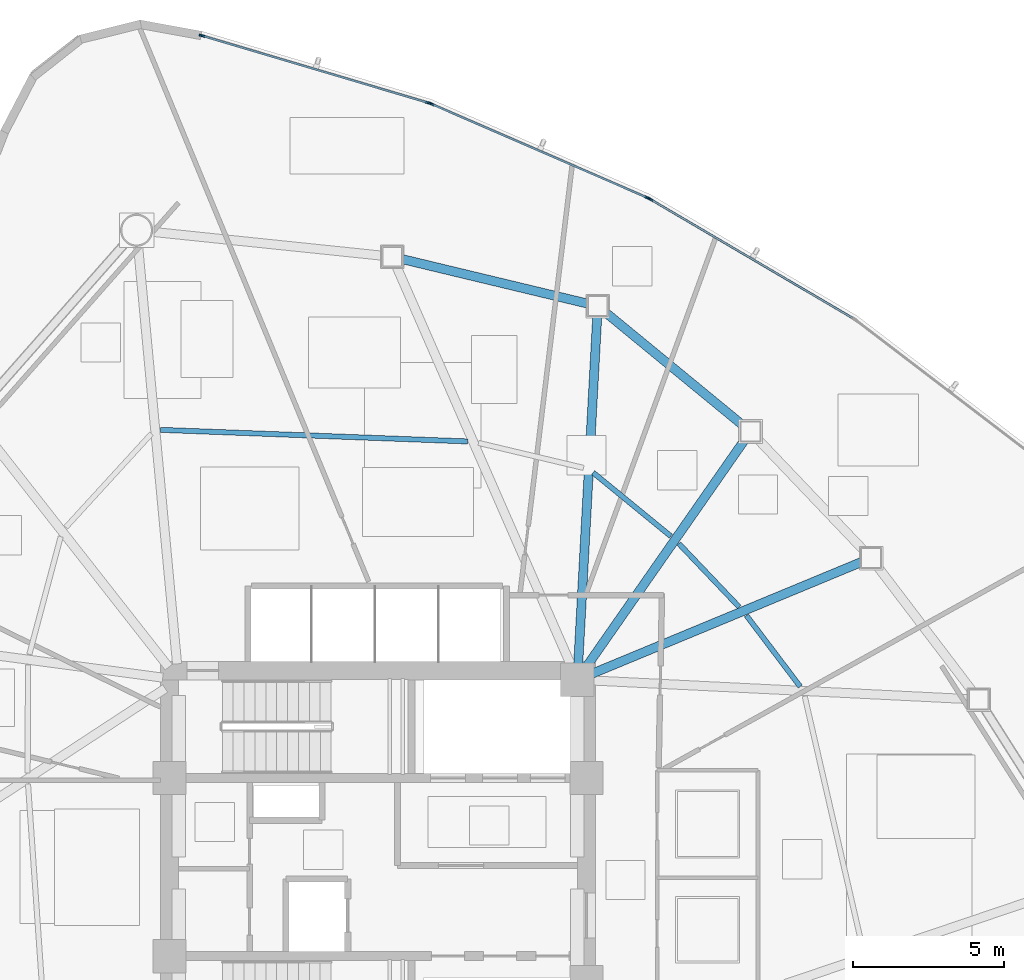
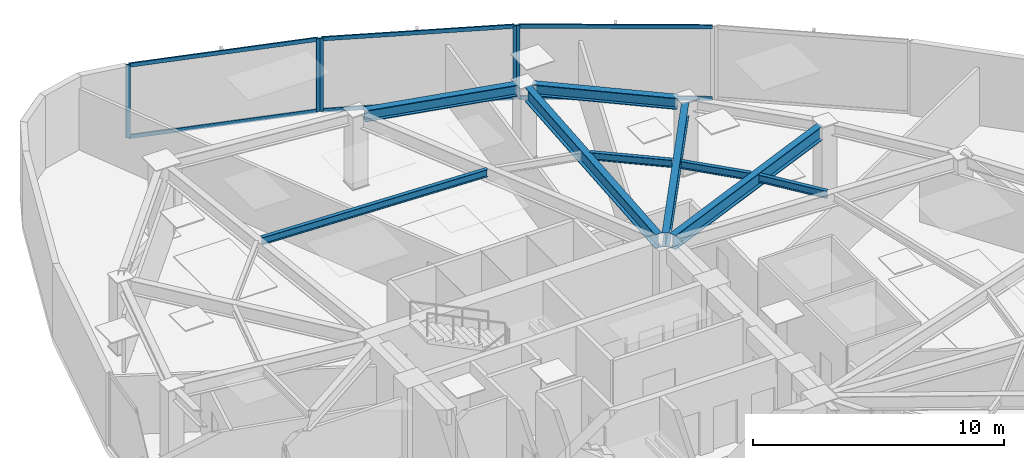
# One storey, part 8 of 17: 11 members, 9 beams, 3 elements without a shape of their own.
"""IFC4 building model written with IfcOpenShell, lengths in metres."""

import ifcopenshell
import ifcopenshell.guid

model = None  # the IFC model being written
_history = None  # IfcOwnerHistory: only IFC2X3 demands one
_inside = {}  # id of a spatial element -> (the spatial element, [elements in it])
_under = {}  # id of a project, library or spatial element -> (it, [spatial elements below it])
_declared = {}  # id of a project -> (the project, [libraries it declares])
_typed = {}  # id of a type object -> (the type object, [elements of that type])
_made_of = {}  # id of a material, layer set ... -> (it, [elements and type objects made of it])


def new_model(schema):
    """Start an empty IFC model of exactly this schema.

    Asked for "IFC4X3", IfcOpenShell would pick the latest addendum, in which some entities
    have other attributes; the version numbers below select the first issue.
    IFC2X3 requires an IfcOwnerHistory on every rooted entity: one is made here for all.
    """
    global model, _history
    if schema == "IFC4X3":
        model = ifcopenshell.file(schema_version=(4, 3, 0, 0))
    else:
        model = ifcopenshell.file(schema=schema)
    _inside.clear()
    _under.clear()
    _declared.clear()
    _typed.clear()
    _made_of.clear()
    _history = None
    if model.schema == "IFC2X3":
        org = make("IfcOrganization", Name="unknown")
        user = make(
            "IfcPersonAndOrganization",
            ThePerson=make("IfcPerson", FamilyName="unknown"),
            TheOrganization=org,
        )
        app = make(
            "IfcApplication",
            ApplicationDeveloper=org,
            Version="unknown",
            ApplicationFullName="unknown",
            ApplicationIdentifier="unknown",
        )
        _history = make(
            "IfcOwnerHistory",
            OwningUser=user,
            OwningApplication=app,
            ChangeAction="ADDED",
            CreationDate=0,
        )
    return model


def make(cls, **values):
    """One entity of the class cls with the attributes given. An attribute that is None is left unset."""
    return model.create_entity(
        cls, **{name: value for name, value in values.items() if value is not None}
    )


def rooted(cls, **values):
    """An entity with a GlobalId (a new one), such as an element, a storey or a relation."""
    return make(cls, GlobalId=ifcopenshell.guid.new(), OwnerHistory=_history, **values)


def si_unit(unit_type, name, prefix=None):
    """IfcSIUnit, for example si_unit("LENGTHUNIT", "METRE", prefix="MILLI")."""
    return make("IfcSIUnit", UnitType=unit_type, Prefix=prefix, Name=name)


def assignment(units):
    """IfcUnitAssignment: the units of a project."""
    return None if units is None else make("IfcUnitAssignment", Units=units)


def point(xyz):
    """IfcCartesianPoint."""
    return None if xyz is None else make("IfcCartesianPoint", Coordinates=xyz)


def direction(xyz):
    """IfcDirection."""
    return None if xyz is None else make("IfcDirection", DirectionRatios=xyz)


def frame(location, z_axis=None, x_axis=None):
    """IfcAxis2Placement3D, a coordinate frame: its origin and axes. An axis left out is left unset."""
    return make(
        "IfcAxis2Placement3D",
        Location=point(location),
        Axis=direction(z_axis),
        RefDirection=direction(x_axis),
    )


def frame_2d(location, x_axis=None):
    """IfcAxis2Placement2D, a coordinate frame in the plane: its origin and x axis."""
    return make(
        "IfcAxis2Placement2D", Location=point(location), RefDirection=direction(x_axis)
    )


def origin():
    """The frame at (0, 0, 0) with its axes left unset."""
    return frame((0.0, 0.0, 0.0))


def origin_2d():
    """The frame at (0, 0) in the plane with its x axis left unset."""
    return frame_2d((0.0, 0.0))


def place(relative_to, where):
    """IfcLocalPlacement: puts the frame where relative to a parent placement (None: the world)."""
    return make(
        "IfcLocalPlacement", PlacementRelTo=relative_to, RelativePlacement=where
    )


def context(
    kind, dimensions, precision=None, world=None, true_north=None, identifier=None
):
    """IfcGeometricRepresentationContext, for example the 3D "Model" context."""
    return make(
        "IfcGeometricRepresentationContext",
        ContextIdentifier=identifier,
        ContextType=kind,
        CoordinateSpaceDimension=dimensions,
        Precision=precision,
        WorldCoordinateSystem=world,
        TrueNorth=true_north,
    )


def subcontext(parent, identifier, kind, view, scale=None):
    """IfcGeometricRepresentationSubContext, for example "Body" below "Model"."""
    return make(
        "IfcGeometricRepresentationSubContext",
        ContextIdentifier=identifier,
        ContextType=kind,
        ParentContext=parent,
        TargetScale=scale,
        TargetView=view,
    )


def project(units=None, contexts=None):
    """IfcProject with its units and contexts."""
    return rooted(
        "IfcProject",
        Name="project",
        RepresentationContexts=contexts,
        UnitsInContext=assignment(units),
    )


def spatial(cls, under=None, at=None, **own):
    """A site, building, storey or space (cls), placed at a placement, below another one or the project."""
    s = rooted(cls, ObjectPlacement=at, **own)
    if under is not None:
        _under.setdefault(under.id(), (under, []))[1].append(s)
    return s


def profile(cls, at=None, kind="AREA", **sizes):
    """A parametric profile (cls). Its sizes go by their IFC names, for example OverallWidth=200.0."""
    return make(cls, ProfileType=kind, Position=at, **sizes)


def hollow_rectangle(**sizes):
    """IfcRectangleHollowProfileDef."""
    return profile("IfcRectangleHollowProfileDef", **sizes)


def i_section(**sizes):
    """IfcIShapeProfileDef."""
    return profile("IfcIShapeProfileDef", **sizes)


def extrude(swept, where, along, depth):
    """IfcExtrudedAreaSolid: the profile swept, set in the frame where, extruded along a direction by depth."""
    return make(
        "IfcExtrudedAreaSolid",
        SweptArea=swept,
        Position=where,
        ExtrudedDirection=direction(along),
        Depth=depth,
    )


def shape(context_of_items, identifier, shape_type, items):
    """IfcShapeRepresentation: the items that make up one representation, for example the "Body"."""
    return make(
        "IfcShapeRepresentation",
        ContextOfItems=context_of_items,
        RepresentationIdentifier=identifier,
        RepresentationType=shape_type,
        Items=items,
    )


def source(mapping_origin, context_of_items, identifier, shape_type, items):
    """IfcRepresentationMap: a shape defined once, which mapped items show again and again."""
    return make(
        "IfcRepresentationMap",
        MappingOrigin=mapping_origin,
        MappedRepresentation=shape(context_of_items, identifier, shape_type, items),
    )


def transform(
    local_origin,
    x_axis=None,
    y_axis=None,
    z_axis=None,
    scale=None,
    scale2=None,
    scale3=None,
    uniform=True,
):
    """IfcCartesianTransformationOperator3D, or its non-uniform kind. x_axis, y_axis, z_axis: its Axis1, 2, 3."""
    if uniform:
        return make(
            "IfcCartesianTransformationOperator3D",
            Axis1=direction(x_axis),
            Axis2=direction(y_axis),
            LocalOrigin=point(local_origin),
            Scale=scale,
            Axis3=direction(z_axis),
        )
    return make(
        "IfcCartesianTransformationOperator3DnonUniform",
        Axis1=direction(x_axis),
        Axis2=direction(y_axis),
        LocalOrigin=point(local_origin),
        Scale=scale,
        Axis3=direction(z_axis),
        Scale2=scale2,
        Scale3=scale3,
    )


def mapped(mapping_source, mapping_target):
    """IfcMappedItem: shows the shape of a source again, moved by a transform."""
    return make(
        "IfcMappedItem", MappingSource=mapping_source, MappingTarget=mapping_target
    )


def material(Name=None, Category=None):
    """IfcMaterial."""
    return make("IfcMaterial", Name=Name, Category=Category)


def layer(
    of_material, thickness, ventilated=None, Name=None, Category=None, Priority=None
):
    """IfcMaterialLayer: one layer of a wall or slab, of a material (None: an air gap)."""
    return make(
        "IfcMaterialLayer",
        Material=of_material,
        LayerThickness=thickness,
        IsVentilated=ventilated,
        Name=Name,
        Category=Category,
        Priority=Priority,
    )


def layer_set(layers, Name=None):
    """IfcMaterialLayerSet."""
    return make("IfcMaterialLayerSet", MaterialLayers=layers, LayerSetName=Name)


def material_profile(
    of_material, cross_section, Name=None, Category=None, Priority=None
):
    """IfcMaterialProfile: a cross section and its material."""
    return make(
        "IfcMaterialProfile",
        Name=Name,
        Material=of_material,
        Profile=cross_section,
        Priority=Priority,
        Category=Category,
    )


def profile_set(profiles, Name=None, composite=None):
    """IfcMaterialProfileSet."""
    return make(
        "IfcMaterialProfileSet",
        Name=Name,
        MaterialProfiles=profiles,
        CompositeProfile=composite,
    )


def made_of(thing, what):
    """Note that an element or type object is made of a material, layer set ...; save() writes the relation."""
    if what is not None:
        _made_of.setdefault(what.id(), (what, []))[1].append(thing)
    return thing


def type_object(cls, material=None, **own):
    """A type object (cls), such as IfcWallType, which elements share."""
    return made_of(rooted(cls, **own), material)


def type_shapes(of_type, sources):
    """Give a type object the sources (RepresentationMaps) that its elements show as mapped items."""
    of_type.RepresentationMaps = sources


def element(
    cls,
    number,
    at=None,
    inside=None,
    cuts=None,
    type_object=None,
    material=None,
    context=None,
    identifier="Body",
    shape_type=None,
    held_by="IfcProductDefinitionShape",
    body=None,
    shapes=None,
    **own,
):
    """One element of the class cls, such as IfcWall. Its Tag is "e" and its number.

    at: its placement. inside: the storey or other place that contains it. cuts: it is an
    opening in that element (IfcRelVoidsElement). A single representation is given by context,
    identifier, shape_type and body (its items); several are given by shapes. held_by: the class
    of the entity that holds the representations. save() writes the other relations.
    """
    e = rooted(cls, Tag="e%d" % number, ObjectPlacement=at, **own)
    if body is not None:
        shapes = [shape(context, identifier, shape_type, body)]
    if shapes is not None:
        e.Representation = make(held_by, Representations=shapes)
    if inside is not None:
        _inside.setdefault(inside.id(), (inside, []))[1].append(e)
    if cuts is not None:
        rooted(
            "IfcRelVoidsElement", RelatingBuildingElement=cuts, RelatedOpeningElement=e
        )
    if type_object is not None:
        _typed.setdefault(type_object.id(), (type_object, []))[1].append(e)
    return made_of(e, material)


def aggregate(whole, parts):
    """IfcRelAggregates: a whole, such as a stair, and the parts it consists of."""
    return rooted("IfcRelAggregates", RelatingObject=whole, RelatedObjects=parts)


def save(model, path):
    """Write the relations noted so far, then the file.

    IfcRelAggregates (storeys below a building ...), IfcRelContainedInSpatialStructure (elements
    in a storey), IfcRelDefinesByType, IfcRelAssociatesMaterial and IfcRelDeclares: one each for
    every whole, place, type object, material and project.
    """
    for whole, parts in _under.values():
        aggregate(whole, parts)
    for where, things in _inside.values():
        rooted(
            "IfcRelContainedInSpatialStructure",
            RelatedElements=things,
            RelatingStructure=where,
        )
    for kind, things in _typed.values():
        rooted("IfcRelDefinesByType", RelatedObjects=things, RelatingType=kind)
    for what, things in _made_of.values():
        rooted("IfcRelAssociatesMaterial", RelatedObjects=things, RelatingMaterial=what)
    for by, libraries in _declared.values():
        rooted("IfcRelDeclares", RelatingContext=by, RelatedDefinitions=libraries)
    model.write(path)


model = new_model("IFC4")

# Units and contexts
model_context = context("Model", 3, precision=1e-05, world=origin(), true_north=direction((0.0, 1.0)))
body_context = subcontext(model_context, "Body", "Model", "MODEL_VIEW")
ifc_project = project(units=[si_unit("LENGTHUNIT", "METRE"), si_unit("AREAUNIT", "SQUARE_METRE"), si_unit("VOLUMEUNIT", "CUBIC_METRE"), si_unit("PLANEANGLEUNIT", "RADIAN"), si_unit("MASSUNIT", "GRAM", prefix="KILO")], contexts=[model_context])

# Site, building, storey
site_placement = place(None, origin())
site = spatial("IfcSite", under=ifc_project, at=site_placement, CompositionType="ELEMENT")
building_placement = place(site_placement, origin())
building = spatial("IfcBuilding", under=site, at=building_placement, Name="Tavelor Broadcast Tower", CompositionType="ELEMENT")
storey_placement = place(building_placement, frame((0.0, 0.0, 142.550048828125)))
storey = spatial("IfcBuildingStorey", under=building, at=storey_placement, Name="L33", CompositionType="ELEMENT", Elevation=142.550048828125)

# Beams
ifc_material_1 = material(Name="Steel S355", Category="steel")
ifc_material_profile_1 = material_profile(ifc_material_1, i_section(OverallWidth=0.169921875, OverallDepth=0.360107421875, WebThickness=0.008056640625, FlangeThickness=0.0126953125, at=origin_2d()), Name="IPE 360")
ifc_profile_set_1 = profile_set([ifc_material_profile_1], Name="Steel S355")
beam_type_1 = type_object("IfcBeamType", Name="Composite Floor Joist T3 IPE 360", PredefinedType="JOIST", material=ifc_profile_set_1)
beam_1_placement = place(storey_placement, frame((63.97509765625, 50.974853515625, 3.369873046875), z_axis=(-0.603343158319, 0.797481682116, 0.0), x_axis=(-0.797481682116, -0.603343158319, 0.0)))
element("IfcBeam", 1, at=beam_1_placement, inside=storey, type_object=beam_type_1, Name="L33 Secondary Composite Floor Joist 14", PredefinedType="JOIST", context=body_context, shape_type="SweptSolid", body=[
    extrude(i_section(OverallWidth=0.169921875, OverallDepth=0.360107421875, WebThickness=0.008056640625, FlangeThickness=0.0126953125, at=origin_2d()), origin(), (0.0, 0.0, 1.0), 2.951416015625),
])
beam_2_placement = place(storey_placement, frame((61.960205078125, 53.60400390625, 3.369873046875), z_axis=(-0.689436692526, 0.724345944283, 0.0), x_axis=(-0.724345944283, -0.689436692526, 0.0)))
element("IfcBeam", 2, at=beam_2_placement, inside=storey, type_object=beam_type_1, Name="L33 Secondary Composite Floor Joist 15", PredefinedType="JOIST", context=body_context, shape_type="SweptSolid", body=[
    extrude(i_section(OverallWidth=0.169921875, OverallDepth=0.360107421875, WebThickness=0.008056640625, FlangeThickness=0.0126953125, at=origin_2d()), origin(), (0.0, 0.0, 1.0), 2.90234375),
])
beam_3_placement = place(storey_placement, frame((59.6943359375, 55.951904296875, 3.369873046875), z_axis=(-0.774130723206, 0.633025768345, 0.0), x_axis=(-0.633025768345, -0.774130723206, 0.0)))
element("IfcBeam", 3, at=beam_3_placement, inside=storey, type_object=beam_type_1, Name="L33 Secondary Composite Floor Joist 16", PredefinedType="JOIST", context=body_context, shape_type="SweptSolid", body=[
    extrude(i_section(OverallWidth=0.169921875, OverallDepth=0.360107421875, WebThickness=0.008056640625, FlangeThickness=0.0126953125, at=origin_2d()), origin(), (0.0, 0.0, 1.0), 3.32373046875),
])
beam_4_placement = place(storey_placement, frame((52.969970703125, 59.08837890625, 3.369873046875), z_axis=(-0.999289376722, 0.037692725691, 0.0), x_axis=(-0.037692725691, -0.999289376722, 0.0)))
element("IfcBeam", 4, at=beam_4_placement, inside=storey, type_object=beam_type_1, Name="L33 Secondary Composite Floor Joist 18", PredefinedType="JOIST", context=body_context, shape_type="SweptSolid", body=[
    extrude(i_section(OverallWidth=0.169921875, OverallDepth=0.360107421875, WebThickness=0.008056640625, FlangeThickness=0.0126953125, at=origin_2d()), origin(), (0.0, 0.0, 1.0), 10.169189453125),
])
ifc_material_profile_2 = material_profile(ifc_material_1, i_section(OverallWidth=0.300048828125, OverallDepth=0.550048828125, WebThickness=0.014892578125, FlangeThickness=0.029052734375, at=origin_2d()), Name="HEB 550")
ifc_profile_set_2 = profile_set([ifc_material_profile_2], Name="Steel S355")
beam_type_2 = type_object("IfcBeamType", Name="Perimeter Spandrel Beam T3 HEB 550", PredefinedType="SPANDREL", material=ifc_profile_set_2)
beam_5_placement = place(storey_placement, frame((62.0712890625, 59.62939453125, 3.27490234375), z_axis=(-0.772702936962, 0.634767808896, 0.0), x_axis=(-0.634767808896, -0.772702936962, 0.0)))
element("IfcBeam", 5, at=beam_5_placement, inside=storey, type_object=beam_type_2, Name="L33 Framed-Tube Ring Spandrel 16", PredefinedType="SPANDREL", context=body_context, shape_type="SweptSolid", body=[
    extrude(i_section(OverallWidth=0.300048828125, OverallDepth=0.550048828125, WebThickness=0.014892578125, FlangeThickness=0.029052734375, at=origin_2d()), origin(), (0.0, 0.0, 1.0), 5.869140625),
])
beam_6_placement = place(storey_placement, frame((56.949951171875, 63.64697265625, 3.27490234375), z_axis=(-0.972363823797, 0.233470756565, 0.0), x_axis=(-0.233470756565, -0.972363823797, 0.0)))
element("IfcBeam", 6, at=beam_6_placement, inside=storey, type_object=beam_type_2, Name="L33 Framed-Tube Ring Spandrel 17", PredefinedType="SPANDREL", context=body_context, shape_type="SweptSolid", body=[
    extrude(i_section(OverallWidth=0.300048828125, OverallDepth=0.550048828125, WebThickness=0.014892578125, FlangeThickness=0.029052734375, at=origin_2d()), origin(), (0.0, 0.0, 1.0), 6.325439453125),
])
ifc_material_profile_3 = material_profile(ifc_material_1, i_section(OverallWidth=0.300048828125, OverallDepth=0.68994140625, WebThickness=0.014404296875, FlangeThickness=0.027099609375, at=origin_2d()), Name="HEA 700")
ifc_profile_set_3 = profile_set([ifc_material_profile_3], Name="Steel S355")
beam_type_3 = type_object("IfcBeamType", Name="Radial Floor Girder T3 HEA 700", PredefinedType="BEAM", material=ifc_profile_set_3)
beam_7_placement = place(storey_placement, frame((57.087890625, 51.402099609375, 3.204833984375), z_axis=(0.92381625254, 0.382836168018, 0.0), x_axis=(-0.382836168018, 0.92381625254, 0.0)))
element("IfcBeam", 7, at=beam_7_placement, inside=storey, type_object=beam_type_3, Name="L33 Radial Primary Floor Girder 15", PredefinedType="BEAM", context=body_context, shape_type="SweptSolid", body=[
    extrude(i_section(OverallWidth=0.300048828125, OverallDepth=0.68994140625, WebThickness=0.014404296875, FlangeThickness=0.027099609375, at=origin_2d()), origin(), (0.0, 0.0, 1.0), 9.659423828125),
])
beam_8_placement = place(storey_placement, frame((56.902099609375, 51.633056640625, 3.204833984375), z_axis=(0.572088555537, 0.820191858423, 0.0), x_axis=(-0.820191858423, 0.572088555537, 0.0)))
element("IfcBeam", 8, at=beam_8_placement, inside=storey, type_object=beam_type_3, Name="L33 Radial Primary Floor Girder 16", PredefinedType="BEAM", context=body_context, shape_type="SweptSolid", body=[
    extrude(i_section(OverallWidth=0.300048828125, OverallDepth=0.68994140625, WebThickness=0.014404296875, FlangeThickness=0.027099609375, at=origin_2d()), origin(), (0.0, 0.0, 1.0), 9.1533203125),
])
beam_9_placement = place(storey_placement, frame((56.62890625, 51.727294921875, 3.204833984375), z_axis=(0.054621583664, 0.998507126964, 0.0), x_axis=(-0.998507126964, 0.054621583664, 0.0)))
element("IfcBeam", 9, at=beam_9_placement, inside=storey, type_object=beam_type_3, Name="L33 Radial Primary Floor Girder 17", PredefinedType="BEAM", context=body_context, shape_type="SweptSolid", body=[
    extrude(i_section(OverallWidth=0.300048828125, OverallDepth=0.68994140625, WebThickness=0.014404296875, FlangeThickness=0.027099609375, at=origin_2d()), origin(), (0.0, 0.0, 1.0), 11.522705078125),
])

# Curtain wall, member
ifc_material_2 = material(Name="Architectural Anodized Aluminium", Category="aluminium")
ifc_layer = layer(ifc_material_2, 0.18994140625)
ifc_layer_set = layer_set([ifc_layer], Name="Architectural Anodized Aluminium")
curtain_wall_type = type_object("IfcCurtainWallType", Name="Tower Mid-Zone Acoustic Curtain Wall CW03", PredefinedType="NOTDEFINED", material=ifc_layer_set)
curtain_wall_1_placement = place(storey_placement, origin())
curtain_wall_1 = element("IfcCurtainWall", 10, at=curtain_wall_1_placement, inside=storey, type_object=curtain_wall_type, Name="L33 Curtain Wall CW03 Run 346", PredefinedType="NOTDEFINED")
ifc_material_profile_4 = material_profile(ifc_material_2, hollow_rectangle(XDim=0.068115234375, YDim=0.18994140625, WallThickness=0.02197265625, at=origin_2d()), Name="RHS 68x190x22")
ifc_profile_set_4 = profile_set([ifc_material_profile_4], Name="Architectural Anodized Aluminium")
member_type_1 = type_object("IfcMemberType", Name="CW03 Extruded Aluminium Mullion 68x190", PredefinedType="MULLION", material=ifc_profile_set_4)
shared_shape_1 = source(origin(), body_context, "Body", "SweptSolid", [
    extrude(hollow_rectangle(XDim=0.068115234375, YDim=0.18994140625, WallThickness=0.02197265625, at=origin_2d()), origin(), (0.0, 0.0, 1.0), 3.550048828125),
])
type_shapes(member_type_1, [shared_shape_1])
member_1_placement = place(storey_placement, frame((59.010986328125, 67.10693359375, 0.0), z_axis=(0.0, 0.0, 1.0), x_axis=(-0.506401015297, -0.862298099097, 0.0)))
member_1 = element("IfcMember", 11, at=member_1_placement, type_object=member_type_1, Name="CW03 mullion 2", PredefinedType="MULLION", context=body_context, shape_type="MappedRepresentation", body=[
    mapped(shared_shape_1, transform((0.0, 0.0, 0.0), scale=1.0)),
])

# Curtain wall, members
curtain_wall_2_placement = place(storey_placement, origin())
curtain_wall_2 = element("IfcCurtainWall", 12, at=curtain_wall_2_placement, inside=storey, type_object=curtain_wall_type, Name="L33 Curtain Wall CW03 Run 347", PredefinedType="NOTDEFINED")
member_2_placement = place(storey_placement, frame((58.923828125, 67.151123046875, 0.0), z_axis=(0.0, 0.0, 1.0), x_axis=(-0.398343804419, -0.917236181952, 0.0)))
member_2 = element("IfcMember", 13, at=member_2_placement, type_object=member_type_1, Name="CW03 mullion 1", PredefinedType="MULLION", context=body_context, shape_type="MappedRepresentation", body=[
    mapped(shared_shape_1, transform((0.0, 0.0, 0.0), scale=1.0)),
])
member_3_placement = place(storey_placement, frame((51.765380859375, 70.260009765625, 0.0), z_axis=(0.0, 0.0, 1.0), x_axis=(-0.398343804419, -0.917236181952, 0.0)))
member_3 = element("IfcMember", 14, at=member_3_placement, type_object=member_type_1, Name="CW03 mullion 2", PredefinedType="MULLION", context=body_context, shape_type="MappedRepresentation", body=[
    mapped(shared_shape_1, transform((0.0, 0.0, 0.0), scale=1.0)),
])

curtain_wall_3_placement = place(storey_placement, origin())
curtain_wall_3 = element("IfcCurtainWall", 15, at=curtain_wall_3_placement, inside=storey, type_object=curtain_wall_type, Name="L33 Curtain Wall CW03 Run 348", PredefinedType="NOTDEFINED")
member_4_placement = place(storey_placement, frame((51.673583984375, 70.29345703125, 0.0), z_axis=(0.0, 0.0, 1.0), x_axis=(-0.284398224556, -0.958706237525, 0.0)))
member_4 = element("IfcMember", 16, at=member_4_placement, type_object=member_type_1, Name="CW03 mullion 1", PredefinedType="MULLION", context=body_context, shape_type="MappedRepresentation", body=[
    mapped(shared_shape_1, transform((0.0, 0.0, 0.0), scale=1.0)),
])
member_5_placement = place(storey_placement, frame((44.17626953125, 72.517578125, 0.0), z_axis=(0.0, 0.0, 1.0), x_axis=(-0.284398224556, -0.958706237525, 0.0)))
member_5 = element("IfcMember", 17, at=member_5_placement, type_object=member_type_1, Name="CW03 mullion 2", PredefinedType="MULLION", context=body_context, shape_type="MappedRepresentation", body=[
    mapped(shared_shape_1, transform((0.0, 0.0, 0.0), scale=1.0)),
])

# Member
ifc_material_profile_5 = material_profile(ifc_material_2, hollow_rectangle(XDim=0.068115234375, YDim=0.18994140625, WallThickness=0.02197265625, at=origin_2d()), Name="RHS 68x190x22")
ifc_profile_set_5 = profile_set([ifc_material_profile_5], Name="Architectural Anodized Aluminium")
member_type_2 = type_object("IfcMemberType", Name="CW03 Extruded Aluminium Transom 68x190", PredefinedType="USERDEFINED", material=ifc_profile_set_5)
shared_shape_2 = source(origin(), body_context, "Body", "SweptSolid", [
    extrude(hollow_rectangle(XDim=0.068115234375, YDim=0.18994140625, WallThickness=0.02197265625, at=origin_2d()), origin(), (0.0, 0.0, 1.0), 7.736328125),
])
member_6_placement = place(storey_placement, frame((65.711181640625, 63.172119140625, 0.033935546875), z_axis=(-0.862291766482, 0.5064117983, 0.0), x_axis=(-0.5064117983, -0.862291766482, 0.0)))
member_6 = element("IfcMember", 18, at=member_6_placement, type_object=member_type_2, Name="CW03 transom 1.1", ObjectType="TRANSOM", PredefinedType="USERDEFINED", context=body_context, shape_type="MappedRepresentation", body=[
    mapped(shared_shape_2, transform((0.0, 0.0, 0.0), scale=1.0)),
])

member_7_placement = place(storey_placement, frame((65.711181640625, 63.172119140625, 3.515869140625), z_axis=(-0.862291766482, 0.5064117983, 0.0), x_axis=(-0.5064117983, -0.862291766482, 0.0)))
member_7 = element("IfcMember", 19, at=member_7_placement, type_object=member_type_2, Name="CW03 transom 1.2", ObjectType="TRANSOM", PredefinedType="USERDEFINED", context=body_context, shape_type="MappedRepresentation", body=[
    mapped(shared_shape_2, transform((0.0, 0.0, 0.0), scale=1.0)),
])

aggregate(curtain_wall_1, [member_1, member_6, member_7])

member_8_placement = place(storey_placement, frame((58.892578125, 67.164794921875, 0.033935546875), z_axis=(-0.917231032213, 0.398355662124, 0.0), x_axis=(-0.398355662124, -0.917231032213, 0.0)))
member_8 = element("IfcMember", 20, at=member_8_placement, type_object=member_type_2, Name="CW03 transom 1.1", ObjectType="TRANSOM", PredefinedType="USERDEFINED", context=body_context, shape_type="MappedRepresentation", body=[
    mapped(shared_shape_2, transform((0.0, 0.0, 0.0), scale=1.0)),
])

member_9_placement = place(storey_placement, frame((58.892578125, 67.164794921875, 3.515869140625), z_axis=(-0.917231032213, 0.398355662124, 0.0), x_axis=(-0.398355662124, -0.917231032213, 0.0)))
member_9 = element("IfcMember", 21, at=member_9_placement, type_object=member_type_2, Name="CW03 transom 1.2", ObjectType="TRANSOM", PredefinedType="USERDEFINED", context=body_context, shape_type="MappedRepresentation", body=[
    mapped(shared_shape_2, transform((0.0, 0.0, 0.0), scale=1.0)),
])

aggregate(curtain_wall_2, [member_2, member_3, member_8, member_9])

shared_shape_3 = source(origin(), body_context, "Body", "SweptSolid", [
    extrude(hollow_rectangle(XDim=0.068115234375, YDim=0.18994140625, WallThickness=0.02197265625, at=origin_2d()), origin(), (0.0, 0.0, 1.0), 7.752197265625),
])
type_shapes(member_type_2, [shared_shape_2, shared_shape_3])
member_10_placement = place(storey_placement, frame((51.640869140625, 70.30322265625, 0.033935546875), z_axis=(-0.958702428433, 0.284411064686, 0.0), x_axis=(-0.284411064686, -0.958702428433, 0.0)))
member_10 = element("IfcMember", 22, at=member_10_placement, type_object=member_type_2, Name="CW03 transom 1.1", ObjectType="TRANSOM", PredefinedType="USERDEFINED", context=body_context, shape_type="MappedRepresentation", body=[
    mapped(shared_shape_3, transform((0.0, 0.0, 0.0), scale=1.0)),
])

member_11_placement = place(storey_placement, frame((51.640869140625, 70.30322265625, 3.515869140625), z_axis=(-0.958702428433, 0.284411064686, 0.0), x_axis=(-0.284411064686, -0.958702428433, 0.0)))
member_11 = element("IfcMember", 23, at=member_11_placement, type_object=member_type_2, Name="CW03 transom 1.2", ObjectType="TRANSOM", PredefinedType="USERDEFINED", context=body_context, shape_type="MappedRepresentation", body=[
    mapped(shared_shape_3, transform((0.0, 0.0, 0.0), scale=1.0)),
])

aggregate(curtain_wall_3, [member_4, member_5, member_10, member_11])

save(model, "model.ifc")
